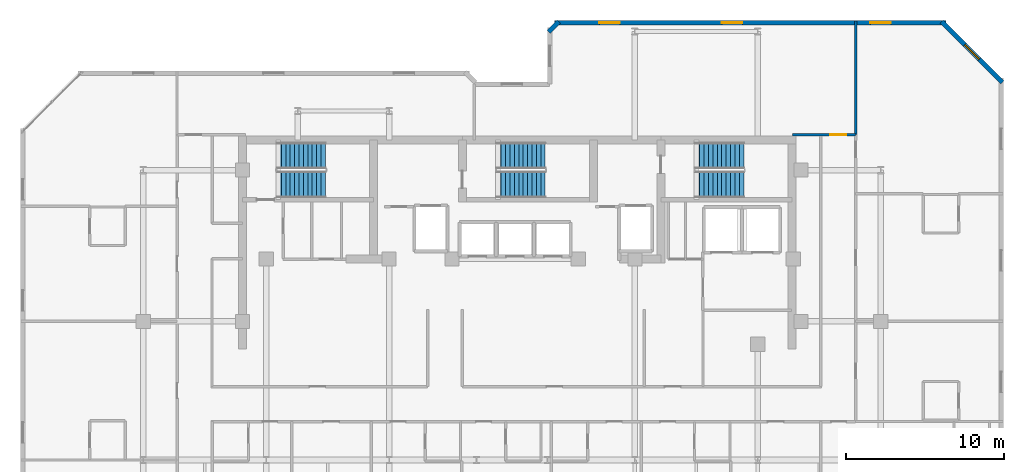
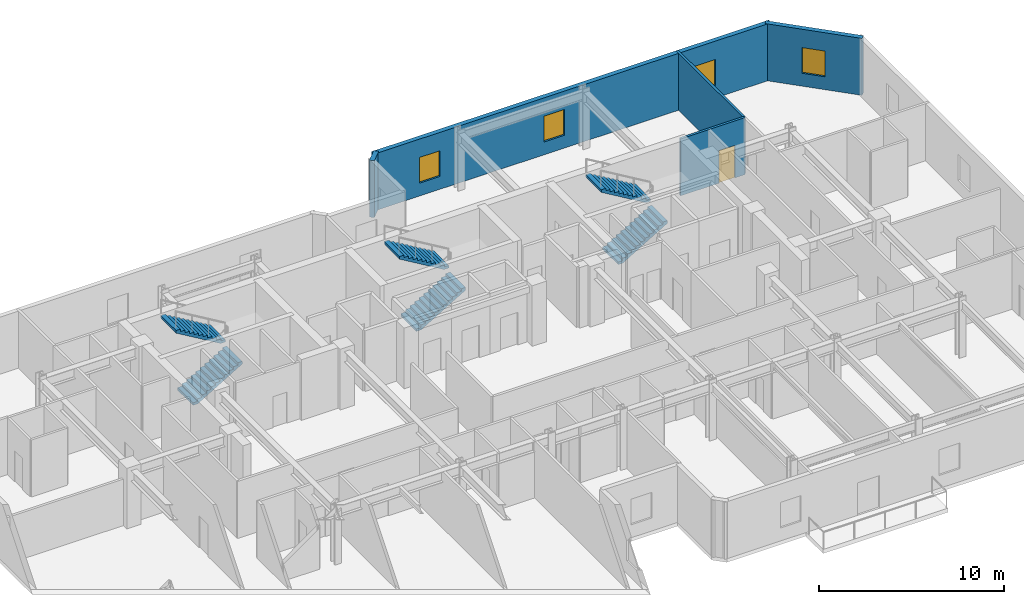
# One storey, part 8 of 11: 6 stair flights, 5 walls, 4 windows, 1 door, 5 openings, 3 elements without a shape of their own.
"""IFC4 building model written with IfcOpenShell, lengths in metres."""

from ifc_helpers import new_model, si_unit, direction, frame, frame_2d, origin, place, context, subcontext, project, spatial, polyline, rectangle, outline, extrude, material, layer, layer_set, type_object, element, fill, aggregate, save


model = new_model("IFC4")

# Units and contexts
model_context = context("Model", 3, precision=1e-05, world=origin(), true_north=direction((0.0, 1.0)))
body_context = subcontext(model_context, "Body", "Model", "MODEL_VIEW")
ifc_project = project(units=[si_unit("LENGTHUNIT", "METRE"), si_unit("AREAUNIT", "SQUARE_METRE"), si_unit("VOLUMEUNIT", "CUBIC_METRE"), si_unit("PLANEANGLEUNIT", "RADIAN"), si_unit("MASSUNIT", "GRAM", prefix="KILO")], contexts=[model_context])

# Site, building, storey
site_placement = place(None, origin())
site = spatial("IfcSite", under=ifc_project, at=site_placement, CompositionType="ELEMENT")
building_placement = place(site_placement, origin())
building = spatial("IfcBuilding", under=site, at=building_placement, Name="Kestravale Grand Hotel", CompositionType="ELEMENT")
storey_placement = place(building_placement, frame((0.0, 0.0, 289.39990234375)))
storey = spatial("IfcBuildingStorey", under=building, at=storey_placement, Name="L72", CompositionType="ELEMENT", Elevation=289.39990234375)

# Wall, opening, window
ifc_material_1 = material(Name="Precast concrete f'c 45 MPa", Category="concrete")
ifc_layer_1 = layer(ifc_material_1, 0.280029296875)
ifc_layer_set_1 = layer_set([ifc_layer_1], Name="EW-PREC-280")
wall_type_1 = type_object("IfcWallType", Name="EW-PREC-280", PredefinedType="SOLIDWALL", material=ifc_layer_set_1)
wall_1_placement = place(storey_placement, frame((70.12939453125, 43.97265625, 0.0), z_axis=(0.0, 0.0, 1.0), x_axis=(-0.707106781187, 0.707106781187, 0.0)))
wall_1 = element("IfcWall", 1, at=wall_1_placement, inside=storey, type_object=wall_type_1, Name="L72 fluted precast facade wall 10", PredefinedType="SOLIDWALL", context=body_context, shape_type="SweptSolid", body=[
    extrude(rectangle(XDim=5.4541015625, YDim=0.280029296875, at=frame_2d((2.72705078125, 0.0))), origin(), (0.0, 0.0, 1.0), 3.760009765625),
])
opening_1_placement = place(wall_1_placement, frame((2.076904296875, 0.0, 0.85009765625)))
opening_1 = element("IfcOpeningElement", 2, at=opening_1_placement, cuts=wall_1, Name="Opening W-GUEST-1300", PredefinedType="OPENING", context=body_context, shape_type="SweptSolid", body=[
    extrude(rectangle(XDim=1.300048828125, YDim=1.699951171875, at=frame_2d((0.64990234375, 0.85009765625))), frame((0.0, 0.14990234375, 0.0), z_axis=(0.0, -1.0, 0.0), x_axis=(1.0, 0.0, 0.0)), (0.0, 0.0, 1.0), 0.300048828125),
])
ifc_material_2 = material(Name="Insulated low-E double glazing in aluminium frame", Category="aluminium")
window_type = type_object("IfcWindowType", Name="W-GUEST-1300", PartitioningType="SINGLE_PANEL", PredefinedType="WINDOW", material=ifc_material_2)
window_1_placement = place(opening_1_placement, origin())
window_1 = element("IfcWindow", 3, at=window_1_placement, inside=storey, type_object=window_type, Name="L72 exterior window 10.1", OverallHeight=1.699951171875, OverallWidth=1.300048828125, PartitioningType="SINGLE_PANEL", PredefinedType="WINDOW", context=body_context, shape_type="SweptSolid", body=[
    extrude(rectangle(XDim=1.300048828125, YDim=1.699951171875, at=frame_2d((0.64990234375, 0.85009765625))), frame((0.0, 0.030029296875, 0.0), z_axis=(0.0, -1.0, 0.0), x_axis=(1.0, 0.0, 0.0)), (0.0, 0.0, 1.0), 0.06005859375),
])
fill(opening_1, window_1)

# Wall, openings, windows
wall_2_placement = place(storey_placement, frame((66.5400390625, 47.760009765625, 0.0), z_axis=(0.0, 0.0, 1.0), x_axis=(-1.0, 0.0, 0.0)))
wall_2 = element("IfcWall", 4, at=wall_2_placement, inside=storey, type_object=wall_type_1, Name="L72 fluted precast facade wall 11", PredefinedType="SOLIDWALL", context=body_context, shape_type="SweptSolid", body=[
    extrude(rectangle(XDim=24.830078125, YDim=0.280029296875, at=frame_2d((12.4150390625, 0.0))), origin(), (0.0, 0.0, 1.0), 3.760009765625),
])
opening_2_placement = place(wall_2_placement, frame((3.48828125, 0.0, 0.85009765625)))
opening_2 = element("IfcOpeningElement", 5, at=opening_2_placement, cuts=wall_2, Name="Opening W-GUEST-1300", PredefinedType="OPENING", context=body_context, shape_type="SweptSolid", body=[
    extrude(rectangle(XDim=1.300048828125, YDim=1.699951171875, at=frame_2d((0.64990234375, 0.85009765625))), frame((0.0, 0.14990234375, 0.0), z_axis=(0.0, -1.0, 0.0), x_axis=(1.0, 0.0, 0.0)), (0.0, 0.0, 1.0), 0.300048828125),
])
opening_3_placement = place(wall_2_placement, frame((12.9150390625, 0.0, 0.85009765625)))
opening_3 = element("IfcOpeningElement", 6, at=opening_3_placement, cuts=wall_2, Name="Opening W-GUEST-1300", PredefinedType="OPENING", context=body_context, shape_type="SweptSolid", body=[
    extrude(rectangle(XDim=1.300048828125, YDim=1.699951171875, at=frame_2d((0.64990234375, 0.85009765625))), frame((0.0, 0.14990234375, 0.0), z_axis=(0.0, -1.0, 0.0), x_axis=(1.0, 0.0, 0.0)), (0.0, 0.0, 1.0), 0.300048828125),
])
opening_4_placement = place(wall_2_placement, frame((20.691650390625, 0.0, 0.85009765625)))
opening_4 = element("IfcOpeningElement", 7, at=opening_4_placement, cuts=wall_2, Name="Opening W-GUEST-1300", PredefinedType="OPENING", context=body_context, shape_type="SweptSolid", body=[
    extrude(rectangle(XDim=1.300048828125, YDim=1.699951171875, at=frame_2d((0.64990234375, 0.85009765625))), frame((0.0, 0.14990234375, 0.0), z_axis=(0.0, -1.0, 0.0), x_axis=(1.0, 0.0, 0.0)), (0.0, 0.0, 1.0), 0.300048828125),
])
window_2_placement = place(opening_2_placement, origin())
window_2 = element("IfcWindow", 8, at=window_2_placement, inside=storey, type_object=window_type, Name="L72 exterior window 11.1", OverallHeight=1.699951171875, OverallWidth=1.300048828125, PartitioningType="SINGLE_PANEL", PredefinedType="WINDOW", context=body_context, shape_type="SweptSolid", body=[
    extrude(rectangle(XDim=1.300048828125, YDim=1.699951171875, at=frame_2d((0.64990234375, 0.85009765625))), frame((0.0, 0.030029296875, 0.0), z_axis=(0.0, -1.0, 0.0), x_axis=(1.0, 0.0, 0.0)), (0.0, 0.0, 1.0), 0.06005859375),
])
fill(opening_2, window_2)
window_3_placement = place(opening_3_placement, origin())
window_3 = element("IfcWindow", 9, at=window_3_placement, inside=storey, type_object=window_type, Name="L72 exterior window 11.2", OverallHeight=1.699951171875, OverallWidth=1.300048828125, PartitioningType="SINGLE_PANEL", PredefinedType="WINDOW", context=body_context, shape_type="SweptSolid", body=[
    extrude(rectangle(XDim=1.300048828125, YDim=1.699951171875, at=frame_2d((0.64990234375, 0.85009765625))), frame((0.0, 0.030029296875, 0.0), z_axis=(0.0, -1.0, 0.0), x_axis=(1.0, 0.0, 0.0)), (0.0, 0.0, 1.0), 0.06005859375),
])
fill(opening_3, window_3)
window_4_placement = place(opening_4_placement, origin())
window_4 = element("IfcWindow", 10, at=window_4_placement, inside=storey, type_object=window_type, Name="L72 exterior window 11.3", OverallHeight=1.699951171875, OverallWidth=1.300048828125, PartitioningType="SINGLE_PANEL", PredefinedType="WINDOW", context=body_context, shape_type="SweptSolid", body=[
    extrude(rectangle(XDim=1.300048828125, YDim=1.699951171875, at=frame_2d((0.64990234375, 0.85009765625))), frame((0.0, 0.030029296875, 0.0), z_axis=(0.0, -1.0, 0.0), x_axis=(1.0, 0.0, 0.0)), (0.0, 0.0, 1.0), 0.06005859375),
])
fill(opening_4, window_4)

# Wall
wall_3_placement = place(storey_placement, frame((41.977294921875, 47.829345703125, 0.0), z_axis=(0.0, 0.0, 1.0), x_axis=(-0.706975312048, -0.707238225886, 0.0)))
element("IfcWall", 11, at=wall_3_placement, inside=storey, type_object=wall_type_1, Name="L72 fluted precast facade wall 12", PredefinedType="SOLIDWALL", context=body_context, shape_type="SweptSolid", body=[
    extrude(rectangle(XDim=0.9287109375, YDim=0.280029296875, at=frame_2d((0.46435546875, 0.0))), origin(), (0.0, 0.0, 1.0), 3.760009765625),
])

# Wall, opening, door
ifc_material_3 = material(Name="Double-stud STC 52 acoustic demising partition", Category="other")
ifc_layer_2 = layer(ifc_material_3, 0.14990234375)
ifc_layer_set_2 = layer_set([ifc_layer_2], Name="IW-UNIT-150")
wall_type_2 = type_object("IfcWallType", Name="IW-UNIT-150", PredefinedType="PARTITIONING", material=ifc_layer_set_2)
wall_4_placement = place(storey_placement, frame((56.800048828125, 40.64990234375, 0.0), z_axis=(0.0, 0.0, 1.0), x_axis=(1.0, 0.0, 0.0)))
wall_4 = element("IfcWall", 12, at=wall_4_placement, inside=storey, type_object=wall_type_2, Name="W-L72-SE-N", PredefinedType="PARTITIONING", context=body_context, shape_type="SweptSolid", body=[
    extrude(rectangle(XDim=4.010009765625, YDim=0.14990234375, at=frame_2d((2.0048828125, 0.0))), origin(), (0.0, 0.0, 1.0), 3.760009765625),
])
opening_5_placement = place(wall_4_placement, frame((2.39990234375, 0.0, 0.0)))
opening_5 = element("IfcOpeningElement", 13, at=opening_5_placement, cuts=wall_4, Name="Opening D-GUEST-1000", PredefinedType="OPENING", context=body_context, shape_type="SweptSolid", body=[
    extrude(rectangle(XDim=1.0, YDim=2.14990234375, at=frame_2d((0.5, 1.074951171875))), frame((0.0, 0.0849609375, 0.0), z_axis=(0.0, -1.0, 0.0), x_axis=(1.0, 0.0, 0.0)), (0.0, 0.0, 1.0), 0.169921875),
])
ifc_material_4 = material(Name="Accessible walnut veneer hotel entrance fire door", Category="wood")
door_type = type_object("IfcDoorType", Name="D-GUEST-1000", OperationType="NOTDEFINED", PredefinedType="DOOR", material=ifc_material_4)
door_placement = place(opening_5_placement, origin())
door = element("IfcDoor", 14, at=door_placement, inside=storey, type_object=door_type, Name="L72 NE Gallery Door", OperationType="SINGLE_SWING_LEFT", OverallHeight=2.14990234375, OverallWidth=1.0, PredefinedType="DOOR", context=body_context, shape_type="SweptSolid", body=[
    extrude(rectangle(XDim=1.0, YDim=2.14990234375, at=frame_2d((0.5, 1.074951171875))), frame((0.0, 0.02490234375, 0.0), z_axis=(0.0, -1.0, 0.0), x_axis=(1.0, 0.0, 0.0)), (0.0, 0.0, 1.0), 0.050048828125),
])
fill(opening_5, door)

# Wall
wall_5_placement = place(storey_placement, frame((60.81005859375, 40.64990234375, 0.0), z_axis=(0.0, 0.0, 1.0), x_axis=(0.0, 1.0, 0.0)))
element("IfcWall", 15, at=wall_5_placement, inside=storey, type_object=wall_type_2, Name="W-L72-NGE-E", PredefinedType="PARTITIONING", context=body_context, shape_type="SweptSolid", body=[
    extrude(rectangle(XDim=7.22998046875, YDim=0.14990234375, at=frame_2d((3.614990234375, 0.0))), origin(), (0.0, 0.0, 1.0), 3.760009765625),
])

# Stair, stair flights
ifc_material_5 = material(Name="Concrete f'c 45 MPa", Category="concrete")
stair_type = type_object("IfcStairType", Name="ST-CORE-400", PredefinedType="HALF_TURN_STAIR", material=ifc_material_5)
stair_1_placement = place(storey_placement, origin())
stair_1 = element("IfcStair", 16, at=stair_1_placement, inside=storey, type_object=stair_type, Name="L72 ST-1", PredefinedType="HALF_TURN_STAIR")
ifc_material_6 = material(Name="Concrete f'c 45 MPa", Category="concrete")
stair_flight_type = type_object("IfcStairFlightType", Name="STF-CORE-400", PredefinedType="STRAIGHT", material=ifc_material_6)
stair_flight_1_placement = place(storey_placement, frame((24.080078125, 37.489990234375, 0.0), z_axis=(0.0, 0.0, 1.0), x_axis=(1.0, 0.0, 0.0)))
stair_flight_1 = element("IfcStairFlight", 17, at=stair_flight_1_placement, type_object=stair_flight_type, Name="ST-1 flight 1", NumberOfRisers=12, NumberOfTreads=11, PredefinedType="STRAIGHT", RiserHeight=0.166666667, TreadLength=0.28, context=body_context, shape_type="SweptSolid", body=[
    extrude(outline(polyline([(0.0, 0.0), (0.0, 0.166748046875), (0.280029296875, 0.166748046875), (0.280029296875, 0.333251953125), (0.56005859375, 0.333251953125), (0.56005859375, 0.5), (0.840087890625, 0.5), (0.840087890625, 0.666748046875), (1.1201171875, 0.666748046875), (1.1201171875, 0.833251953125), (1.39990234375, 0.833251953125), (1.39990234375, 1.0), (1.679931640625, 1.0), (1.679931640625, 1.166748046875), (1.9599609375, 1.166748046875), (1.9599609375, 1.333251953125), (2.239990234375, 1.333251953125), (2.239990234375, 1.5), (2.52001953125, 1.5), (2.52001953125, 1.666748046875), (2.800048828125, 1.666748046875), (2.800048828125, 1.833251953125), (3.080078125, 1.833251953125), (3.080078125, 2.0), (3.080078125, 1.658935546875), (0.29296875, 0.0), (0.0, 0.0)])), frame((0.0, 0.83984375, 0.0), z_axis=(0.0, -1.0, 0.0), x_axis=(1.0, 0.0, 0.0)), (0.0, 0.0, 1.0), 1.679931640625),
])
stair_flight_2_placement = place(storey_placement, frame((27.159912109375, 39.320068359375, 2.0), z_axis=(0.0, 0.0, 1.0), x_axis=(-1.0, 0.0, 0.0)))
stair_flight_2 = element("IfcStairFlight", 18, at=stair_flight_2_placement, type_object=stair_flight_type, Name="ST-1 flight 2", NumberOfRisers=12, NumberOfTreads=11, PredefinedType="STRAIGHT", RiserHeight=0.166666667, TreadLength=0.28, context=body_context, shape_type="SweptSolid", body=[
    extrude(outline(polyline([(0.0, 0.0), (0.0, 0.166748046875), (0.280029296875, 0.166748046875), (0.280029296875, 0.333251953125), (0.56005859375, 0.333251953125), (0.56005859375, 0.5), (0.840087890625, 0.5), (0.840087890625, 0.666748046875), (1.1201171875, 0.666748046875), (1.1201171875, 0.833251953125), (1.39990234375, 0.833251953125), (1.39990234375, 1.0), (1.679931640625, 1.0), (1.679931640625, 1.166748046875), (1.9599609375, 1.166748046875), (1.9599609375, 1.333251953125), (2.239990234375, 1.333251953125), (2.239990234375, 1.5), (2.52001953125, 1.5), (2.52001953125, 1.666748046875), (2.800048828125, 1.666748046875), (2.800048828125, 1.833251953125), (3.080078125, 1.833251953125), (3.080078125, 2.0), (3.080078125, 1.658935546875), (0.29296875, 0.0), (0.0, 0.0)])), frame((0.0, 0.83984375, 0.0), z_axis=(0.0, -1.0, 0.0), x_axis=(1.0, 0.0, 0.0)), (0.0, 0.0, 1.0), 1.679931640625),
])
aggregate(stair_1, [stair_flight_1, stair_flight_2])

stair_2_placement = place(storey_placement, origin())
stair_2 = element("IfcStair", 19, at=stair_2_placement, inside=storey, type_object=stair_type, Name="L72 ST-2", PredefinedType="HALF_TURN_STAIR")
stair_flight_3_placement = place(storey_placement, frame((38.030029296875, 37.489990234375, 0.0), z_axis=(0.0, 0.0, 1.0), x_axis=(1.0, 0.0, 0.0)))
stair_flight_3 = element("IfcStairFlight", 20, at=stair_flight_3_placement, type_object=stair_flight_type, Name="ST-2 flight 1", NumberOfRisers=12, NumberOfTreads=11, PredefinedType="STRAIGHT", RiserHeight=0.166666667, TreadLength=0.28, context=body_context, shape_type="SweptSolid", body=[
    extrude(outline(polyline([(0.0, 0.0), (0.0, 0.166748046875), (0.280029296875, 0.166748046875), (0.280029296875, 0.333251953125), (0.56005859375, 0.333251953125), (0.56005859375, 0.5), (0.840087890625, 0.5), (0.840087890625, 0.666748046875), (1.1201171875, 0.666748046875), (1.1201171875, 0.833251953125), (1.39990234375, 0.833251953125), (1.39990234375, 1.0), (1.679931640625, 1.0), (1.679931640625, 1.166748046875), (1.9599609375, 1.166748046875), (1.9599609375, 1.333251953125), (2.239990234375, 1.333251953125), (2.239990234375, 1.5), (2.52001953125, 1.5), (2.52001953125, 1.666748046875), (2.800048828125, 1.666748046875), (2.800048828125, 1.833251953125), (3.080078125, 1.833251953125), (3.080078125, 2.0), (3.080078125, 1.658935546875), (0.29296875, 0.0), (0.0, 0.0)])), frame((0.0, 0.83984375, 0.0), z_axis=(0.0, -1.0, 0.0), x_axis=(1.0, 0.0, 0.0)), (0.0, 0.0, 1.0), 1.679931640625),
])
stair_flight_4_placement = place(storey_placement, frame((41.110107421875, 39.320068359375, 2.0), z_axis=(0.0, 0.0, 1.0), x_axis=(-1.0, 0.0, 0.0)))
stair_flight_4 = element("IfcStairFlight", 21, at=stair_flight_4_placement, type_object=stair_flight_type, Name="ST-2 flight 2", NumberOfRisers=12, NumberOfTreads=11, PredefinedType="STRAIGHT", RiserHeight=0.166666667, TreadLength=0.28, context=body_context, shape_type="SweptSolid", body=[
    extrude(outline(polyline([(0.0, 0.0), (0.0, 0.166748046875), (0.280029296875, 0.166748046875), (0.280029296875, 0.333251953125), (0.56005859375, 0.333251953125), (0.56005859375, 0.5), (0.840087890625, 0.5), (0.840087890625, 0.666748046875), (1.1201171875, 0.666748046875), (1.1201171875, 0.833251953125), (1.39990234375, 0.833251953125), (1.39990234375, 1.0), (1.679931640625, 1.0), (1.679931640625, 1.166748046875), (1.9599609375, 1.166748046875), (1.9599609375, 1.333251953125), (2.239990234375, 1.333251953125), (2.239990234375, 1.5), (2.52001953125, 1.5), (2.52001953125, 1.666748046875), (2.800048828125, 1.666748046875), (2.800048828125, 1.833251953125), (3.080078125, 1.833251953125), (3.080078125, 2.0), (3.080078125, 1.658935546875), (0.29296875, 0.0), (0.0, 0.0)])), frame((0.0, 0.83984375, 0.0), z_axis=(0.0, -1.0, 0.0), x_axis=(1.0, 0.0, 0.0)), (0.0, 0.0, 1.0), 1.679931640625),
])
aggregate(stair_2, [stair_flight_3, stair_flight_4])

stair_3_placement = place(storey_placement, origin())
stair_3 = element("IfcStair", 22, at=stair_3_placement, inside=storey, type_object=stair_type, Name="L72 ST-3", PredefinedType="HALF_TURN_STAIR")
stair_flight_5_placement = place(storey_placement, frame((50.6298828125, 37.489990234375, 0.0), z_axis=(0.0, 0.0, 1.0), x_axis=(1.0, 0.0, 0.0)))
stair_flight_5 = element("IfcStairFlight", 23, at=stair_flight_5_placement, type_object=stair_flight_type, Name="ST-3 flight 1", NumberOfRisers=12, NumberOfTreads=11, PredefinedType="STRAIGHT", RiserHeight=0.166666667, TreadLength=0.28, context=body_context, shape_type="SweptSolid", body=[
    extrude(outline(polyline([(0.0, 0.0), (0.0, 0.166748046875), (0.280029296875, 0.166748046875), (0.280029296875, 0.333251953125), (0.56005859375, 0.333251953125), (0.56005859375, 0.5), (0.840087890625, 0.5), (0.840087890625, 0.666748046875), (1.1201171875, 0.666748046875), (1.1201171875, 0.833251953125), (1.39990234375, 0.833251953125), (1.39990234375, 1.0), (1.679931640625, 1.0), (1.679931640625, 1.166748046875), (1.9599609375, 1.166748046875), (1.9599609375, 1.333251953125), (2.239990234375, 1.333251953125), (2.239990234375, 1.5), (2.52001953125, 1.5), (2.52001953125, 1.666748046875), (2.800048828125, 1.666748046875), (2.800048828125, 1.833251953125), (3.080078125, 1.833251953125), (3.080078125, 2.0), (3.080078125, 1.658935546875), (0.29296875, 0.0), (0.0, 0.0)])), frame((0.0, 0.83984375, 0.0), z_axis=(0.0, -1.0, 0.0), x_axis=(1.0, 0.0, 0.0)), (0.0, 0.0, 1.0), 1.679931640625),
])
stair_flight_6_placement = place(storey_placement, frame((53.7099609375, 39.320068359375, 2.0), z_axis=(0.0, 0.0, 1.0), x_axis=(-1.0, 0.0, 0.0)))
stair_flight_6 = element("IfcStairFlight", 24, at=stair_flight_6_placement, type_object=stair_flight_type, Name="ST-3 flight 2", NumberOfRisers=12, NumberOfTreads=11, PredefinedType="STRAIGHT", RiserHeight=0.166666667, TreadLength=0.28, context=body_context, shape_type="SweptSolid", body=[
    extrude(outline(polyline([(0.0, 0.0), (0.0, 0.166748046875), (0.280029296875, 0.166748046875), (0.280029296875, 0.333251953125), (0.56005859375, 0.333251953125), (0.56005859375, 0.5), (0.840087890625, 0.5), (0.840087890625, 0.666748046875), (1.1201171875, 0.666748046875), (1.1201171875, 0.833251953125), (1.39990234375, 0.833251953125), (1.39990234375, 1.0), (1.679931640625, 1.0), (1.679931640625, 1.166748046875), (1.9599609375, 1.166748046875), (1.9599609375, 1.333251953125), (2.239990234375, 1.333251953125), (2.239990234375, 1.5), (2.52001953125, 1.5), (2.52001953125, 1.666748046875), (2.800048828125, 1.666748046875), (2.800048828125, 1.833251953125), (3.080078125, 1.833251953125), (3.080078125, 2.0), (3.080078125, 1.658935546875), (0.29296875, 0.0), (0.0, 0.0)])), frame((0.0, 0.83984375, 0.0), z_axis=(0.0, -1.0, 0.0), x_axis=(1.0, 0.0, 0.0)), (0.0, 0.0, 1.0), 1.679931640625),
])
aggregate(stair_3, [stair_flight_5, stair_flight_6])

save(model, "model.ifc")
